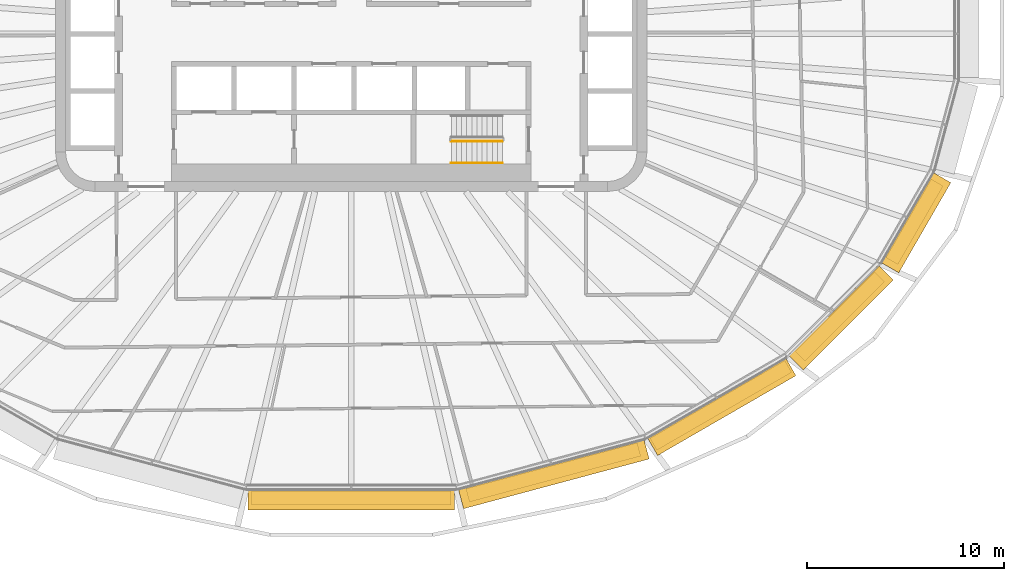
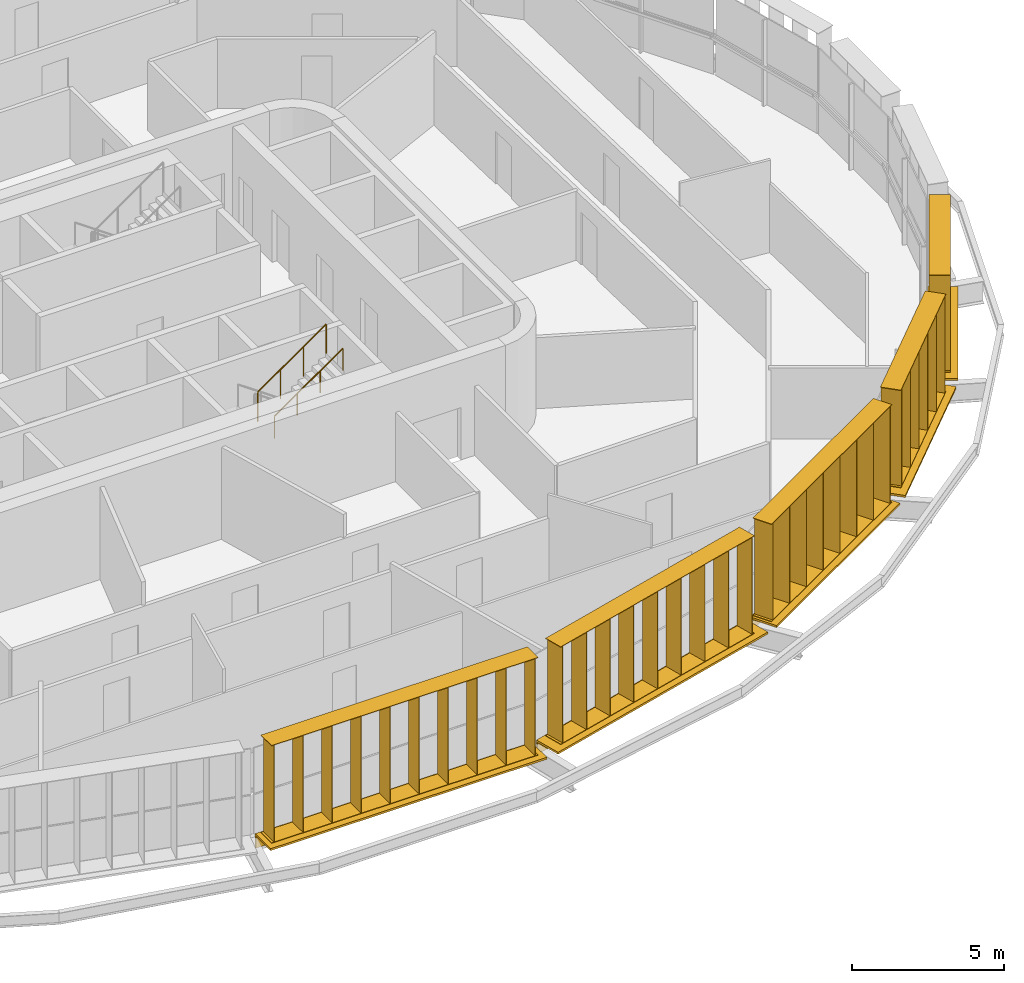
# One storey, part 19 of 22: 10 shading devices, 2 railings.
"""IFC4 building model written with IfcOpenShell, lengths in metres."""

from ifc_helpers import new_model, si_unit, direction, frame, origin, origin_2d, place, context, subcontext, project, spatial, rectangle, circle, extrude, material, type_object, element, save


model = new_model("IFC4")

# Units and contexts
model_context = context("Model", 3, precision=1e-05, world=origin(), true_north=direction((0.0, 1.0)))
body_context = subcontext(model_context, "Body", "Model", "MODEL_VIEW")
ifc_project = project(units=[si_unit("LENGTHUNIT", "METRE"), si_unit("AREAUNIT", "SQUARE_METRE"), si_unit("VOLUMEUNIT", "CUBIC_METRE"), si_unit("PLANEANGLEUNIT", "RADIAN"), si_unit("MASSUNIT", "GRAM", prefix="KILO")], contexts=[model_context])

# Site, building, storey
site_placement = place(None, origin())
site = spatial("IfcSite", under=ifc_project, at=site_placement, CompositionType="ELEMENT")
building_placement = place(site_placement, origin())
building = spatial("IfcBuilding", under=site, at=building_placement, Name="Sahrelin Media Tower", CompositionType="ELEMENT")
storey_placement = place(building_placement, frame((0.0, 0.0, 189.60009765625)))
storey = spatial("IfcBuildingStorey", under=building, at=storey_placement, Name="L40", CompositionType="ELEMENT", Elevation=189.60009765625)

# Shading devices
ifc_material_1 = material(Name="Champagne anodised aluminium 6063-T6", Category="aluminium")
shading_device_type_1 = type_object("IfcShadingDeviceType", Name="Fin cassette", PredefinedType="USERDEFINED", material=ifc_material_1)
placement_1 = place(storey_placement, frame((0.0, -23.12890625, 0.0), z_axis=(0.0, 0.0, 1.0), x_axis=(-1.0, 0.0, 0.0)))
element("IfcShadingDevice", 1, at=placement_1, inside=storey, type_object=shading_device_type_1, Name="L40:FIN:L40-18", ObjectType="FIN", PredefinedType="USERDEFINED", context=body_context, shape_type="SweptSolid", body=[
    extrude(rectangle(XDim=10.10009765625, YDim=0.699951171875, at=origin_2d()), frame((0.0, 0.419921875, 0.0)), (0.0, 0.0, 1.0), 0.02001953125),
    extrude(rectangle(XDim=10.10009765625, YDim=0.699951171875, at=origin_2d()), frame((0.0, 0.419921875, 3.89990234375)), (0.0, 0.0, 1.0), 0.02001953125),
    extrude(rectangle(XDim=0.02001953125, YDim=0.699951171875, at=origin_2d()), frame((-4.949951171875, 0.419921875, 0.010009765625), z_axis=(0.0, 0.0, 1.0), x_axis=(1.0, 0.0, 0.0)), (0.0, 0.0, 1.0), 3.89990234375),
    extrude(rectangle(XDim=0.02001953125, YDim=0.699951171875, at=origin_2d()), frame((-3.85009765625, 0.419921875, 0.010009765625), z_axis=(0.0, 0.0, 1.0), x_axis=(1.0, 0.0, 0.0)), (0.0, 0.0, 1.0), 3.89990234375),
    extrude(rectangle(XDim=0.02001953125, YDim=0.699951171875, at=origin_2d()), frame((-2.75, 0.419921875, 0.010009765625), z_axis=(0.0, 0.0, 1.0), x_axis=(1.0, 0.0, 0.0)), (0.0, 0.0, 1.0), 3.89990234375),
    extrude(rectangle(XDim=0.02001953125, YDim=0.699951171875, at=origin_2d()), frame((-1.64990234375, 0.419921875, 0.010009765625), z_axis=(0.0, 0.0, 1.0), x_axis=(1.0, 0.0, 0.0)), (0.0, 0.0, 1.0), 3.89990234375),
    extrude(rectangle(XDim=0.02001953125, YDim=0.699951171875, at=origin_2d()), frame((-0.550048828125, 0.419921875, 0.010009765625), z_axis=(0.0, 0.0, 1.0), x_axis=(1.0, 0.0, 0.0)), (0.0, 0.0, 1.0), 3.89990234375),
    extrude(rectangle(XDim=0.02001953125, YDim=0.699951171875, at=origin_2d()), frame((0.550048828125, 0.419921875, 0.010009765625), z_axis=(0.0, 0.0, 1.0), x_axis=(1.0, 0.0, 0.0)), (0.0, 0.0, 1.0), 3.89990234375),
    extrude(rectangle(XDim=0.02001953125, YDim=0.699951171875, at=origin_2d()), frame((1.64990234375, 0.419921875, 0.010009765625), z_axis=(0.0, 0.0, 1.0), x_axis=(1.0, 0.0, 0.0)), (0.0, 0.0, 1.0), 3.89990234375),
    extrude(rectangle(XDim=0.02001953125, YDim=0.699951171875, at=origin_2d()), frame((2.75, 0.419921875, 0.010009765625), z_axis=(0.0, 0.0, 1.0), x_axis=(1.0, 0.0, 0.0)), (0.0, 0.0, 1.0), 3.89990234375),
    extrude(rectangle(XDim=0.02001953125, YDim=0.699951171875, at=origin_2d()), frame((3.85009765625, 0.419921875, 0.010009765625), z_axis=(0.0, 0.0, 1.0), x_axis=(1.0, 0.0, 0.0)), (0.0, 0.0, 1.0), 3.89990234375),
    extrude(rectangle(XDim=0.02001953125, YDim=0.699951171875, at=origin_2d()), frame((4.949951171875, 0.419921875, 0.010009765625), z_axis=(0.0, 0.0, 1.0), x_axis=(1.0, 0.0, 0.0)), (0.0, 0.0, 1.0), 3.89990234375),
])
placement_2 = place(storey_placement, frame((10.143310546875, -21.841796875, 0.0), z_axis=(0.0, 0.0, 1.0), x_axis=(-0.965928857556, -0.258807731996, 0.0)))
element("IfcShadingDevice", 2, at=placement_2, inside=storey, type_object=shading_device_type_1, Name="L40:FIN:L40-19", ObjectType="FIN", PredefinedType="USERDEFINED", context=body_context, shape_type="SweptSolid", body=[
    extrude(rectangle(XDim=9.0, YDim=0.699951171875, at=origin_2d()), frame((0.0, 0.419921875, 0.0)), (0.0, 0.0, 1.0), 0.02001953125),
    extrude(rectangle(XDim=9.0, YDim=0.699951171875, at=origin_2d()), frame((0.0, 0.419921875, 3.89990234375)), (0.0, 0.0, 1.0), 0.02001953125),
    extrude(rectangle(XDim=0.02001953125, YDim=0.699951171875, at=origin_2d()), frame((-4.39990234375, 0.419921875, 0.010009765625), z_axis=(0.0, 0.0, 1.0), x_axis=(1.0, 0.0, 0.0)), (0.0, 0.0, 1.0), 3.89990234375),
    extrude(rectangle(XDim=0.02001953125, YDim=0.699951171875, at=origin_2d()), frame((-3.300048828125, 0.419921875, 0.010009765625), z_axis=(0.0, 0.0, 1.0), x_axis=(1.0, 0.0, 0.0)), (0.0, 0.0, 1.0), 3.89990234375),
    extrude(rectangle(XDim=0.02001953125, YDim=0.699951171875, at=origin_2d()), frame((-2.199951171875, 0.419921875, 0.010009765625), z_axis=(0.0, 0.0, 1.0), x_axis=(1.0, 0.0, 0.0)), (0.0, 0.0, 1.0), 3.89990234375),
    extrude(rectangle(XDim=0.02001953125, YDim=0.699951171875, at=origin_2d()), frame((-1.10009765625, 0.419921875, 0.010009765625), z_axis=(0.0, 0.0, 1.0), x_axis=(1.0, 0.0, 0.0)), (0.0, 0.0, 1.0), 3.89990234375),
    extrude(rectangle(XDim=0.02001953125, YDim=0.699951171875, at=origin_2d()), frame((0.0, 0.419921875, 0.010009765625), z_axis=(0.0, 0.0, 1.0), x_axis=(1.0, 0.0, 0.0)), (0.0, 0.0, 1.0), 3.89990234375),
    extrude(rectangle(XDim=0.02001953125, YDim=0.699951171875, at=origin_2d()), frame((1.10009765625, 0.419921875, 0.010009765625), z_axis=(0.0, 0.0, 1.0), x_axis=(1.0, 0.0, 0.0)), (0.0, 0.0, 1.0), 3.89990234375),
    extrude(rectangle(XDim=0.02001953125, YDim=0.699951171875, at=origin_2d()), frame((2.199951171875, 0.419921875, 0.010009765625), z_axis=(0.0, 0.0, 1.0), x_axis=(1.0, 0.0, 0.0)), (0.0, 0.0, 1.0), 3.89990234375),
    extrude(rectangle(XDim=0.02001953125, YDim=0.699951171875, at=origin_2d()), frame((3.300048828125, 0.419921875, 0.010009765625), z_axis=(0.0, 0.0, 1.0), x_axis=(1.0, 0.0, 0.0)), (0.0, 0.0, 1.0), 3.89990234375),
    extrude(rectangle(XDim=0.02001953125, YDim=0.699951171875, at=origin_2d()), frame((4.39990234375, 0.419921875, 0.010009765625), z_axis=(0.0, 0.0, 1.0), x_axis=(1.0, 0.0, 0.0)), (0.0, 0.0, 1.0), 3.89990234375),
])
placement_3 = place(storey_placement, frame((18.54052734375, -18.47998046875, 0.0), z_axis=(0.0, 0.0, 1.0), x_axis=(-0.866019052629, -0.500011000363, 0.0)))
element("IfcShadingDevice", 3, at=placement_3, inside=storey, type_object=shading_device_type_1, Name="L40:FIN:L40-20", ObjectType="FIN", PredefinedType="USERDEFINED", context=body_context, shape_type="SweptSolid", body=[
    extrude(rectangle(XDim=7.89990234375, YDim=0.699951171875, at=origin_2d()), frame((0.0, 0.419921875, 0.0)), (0.0, 0.0, 1.0), 0.02001953125),
    extrude(rectangle(XDim=7.89990234375, YDim=0.699951171875, at=origin_2d()), frame((0.0, 0.419921875, 3.89990234375)), (0.0, 0.0, 1.0), 0.02001953125),
    extrude(rectangle(XDim=0.02001953125, YDim=0.699951171875, at=origin_2d()), frame((-3.85009765625, 0.419921875, 0.010009765625), z_axis=(0.0, 0.0, 1.0), x_axis=(1.0, 0.0, 0.0)), (0.0, 0.0, 1.0), 3.89990234375),
    extrude(rectangle(XDim=0.02001953125, YDim=0.699951171875, at=origin_2d()), frame((-2.75, 0.419921875, 0.010009765625), z_axis=(0.0, 0.0, 1.0), x_axis=(1.0, 0.0, 0.0)), (0.0, 0.0, 1.0), 3.89990234375),
    extrude(rectangle(XDim=0.02001953125, YDim=0.699951171875, at=origin_2d()), frame((-1.64990234375, 0.419921875, 0.010009765625), z_axis=(0.0, 0.0, 1.0), x_axis=(1.0, 0.0, 0.0)), (0.0, 0.0, 1.0), 3.89990234375),
    extrude(rectangle(XDim=0.02001953125, YDim=0.699951171875, at=origin_2d()), frame((-0.550048828125, 0.419921875, 0.010009765625), z_axis=(0.0, 0.0, 1.0), x_axis=(1.0, 0.0, 0.0)), (0.0, 0.0, 1.0), 3.89990234375),
    extrude(rectangle(XDim=0.02001953125, YDim=0.699951171875, at=origin_2d()), frame((0.550048828125, 0.419921875, 0.010009765625), z_axis=(0.0, 0.0, 1.0), x_axis=(1.0, 0.0, 0.0)), (0.0, 0.0, 1.0), 3.89990234375),
    extrude(rectangle(XDim=0.02001953125, YDim=0.699951171875, at=origin_2d()), frame((1.64990234375, 0.419921875, 0.010009765625), z_axis=(0.0, 0.0, 1.0), x_axis=(1.0, 0.0, 0.0)), (0.0, 0.0, 1.0), 3.89990234375),
    extrude(rectangle(XDim=0.02001953125, YDim=0.699951171875, at=origin_2d()), frame((2.75, 0.419921875, 0.010009765625), z_axis=(0.0, 0.0, 1.0), x_axis=(1.0, 0.0, 0.0)), (0.0, 0.0, 1.0), 3.89990234375),
    extrude(rectangle(XDim=0.02001953125, YDim=0.699951171875, at=origin_2d()), frame((3.85009765625, 0.419921875, 0.010009765625), z_axis=(0.0, 0.0, 1.0), x_axis=(1.0, 0.0, 0.0)), (0.0, 0.0, 1.0), 3.89990234375),
])
placement_4 = place(storey_placement, frame((24.48779296875, -14.05126953125, 0.0), z_axis=(0.0, 0.0, 1.0), x_axis=(-0.707106781187, -0.707106781187, 0.0)))
element("IfcShadingDevice", 4, at=placement_4, inside=storey, type_object=shading_device_type_1, Name="L40:FIN:L40-21", ObjectType="FIN", PredefinedType="USERDEFINED", context=body_context, shape_type="SweptSolid", body=[
    extrude(rectangle(XDim=5.699951171875, YDim=0.699951171875, at=origin_2d()), frame((0.0, 0.419921875, 0.0)), (0.0, 0.0, 1.0), 0.02001953125),
    extrude(rectangle(XDim=5.699951171875, YDim=0.699951171875, at=origin_2d()), frame((0.0, 0.419921875, 3.89990234375)), (0.0, 0.0, 1.0), 0.02001953125),
    extrude(rectangle(XDim=0.02001953125, YDim=0.699951171875, at=origin_2d()), frame((-2.75, 0.419921875, 0.010009765625), z_axis=(0.0, 0.0, 1.0), x_axis=(1.0, 0.0, 0.0)), (0.0, 0.0, 1.0), 3.89990234375),
    extrude(rectangle(XDim=0.02001953125, YDim=0.699951171875, at=origin_2d()), frame((-1.64990234375, 0.419921875, 0.010009765625), z_axis=(0.0, 0.0, 1.0), x_axis=(1.0, 0.0, 0.0)), (0.0, 0.0, 1.0), 3.89990234375),
    extrude(rectangle(XDim=0.02001953125, YDim=0.699951171875, at=origin_2d()), frame((-0.550048828125, 0.419921875, 0.010009765625), z_axis=(0.0, 0.0, 1.0), x_axis=(1.0, 0.0, 0.0)), (0.0, 0.0, 1.0), 3.89990234375),
    extrude(rectangle(XDim=0.02001953125, YDim=0.699951171875, at=origin_2d()), frame((0.550048828125, 0.419921875, 0.010009765625), z_axis=(0.0, 0.0, 1.0), x_axis=(1.0, 0.0, 0.0)), (0.0, 0.0, 1.0), 3.89990234375),
    extrude(rectangle(XDim=0.02001953125, YDim=0.699951171875, at=origin_2d()), frame((1.64990234375, 0.419921875, 0.010009765625), z_axis=(0.0, 0.0, 1.0), x_axis=(1.0, 0.0, 0.0)), (0.0, 0.0, 1.0), 3.89990234375),
    extrude(rectangle(XDim=0.02001953125, YDim=0.699951171875, at=origin_2d()), frame((2.75, 0.419921875, 0.010009765625), z_axis=(0.0, 0.0, 1.0), x_axis=(1.0, 0.0, 0.0)), (0.0, 0.0, 1.0), 3.89990234375),
])
placement_5 = place(storey_placement, frame((28.21142578125, -9.324951171875, 0.0), z_axis=(0.0, 0.0, 1.0), x_axis=(-0.500011000363, -0.866019052629, 0.0)))
element("IfcShadingDevice", 5, at=placement_5, inside=storey, type_object=shading_device_type_1, Name="L40:FIN:L40-22", ObjectType="FIN", PredefinedType="USERDEFINED", context=body_context, shape_type="SweptSolid", body=[
    extrude(rectangle(XDim=4.60009765625, YDim=0.699951171875, at=origin_2d()), frame((0.0, 0.419921875, 0.0)), (0.0, 0.0, 1.0), 0.02001953125),
    extrude(rectangle(XDim=4.60009765625, YDim=0.699951171875, at=origin_2d()), frame((0.0, 0.419921875, 3.89990234375)), (0.0, 0.0, 1.0), 0.02001953125),
    extrude(rectangle(XDim=0.02001953125, YDim=0.699951171875, at=origin_2d()), frame((-2.199951171875, 0.419921875, 0.010009765625), z_axis=(0.0, 0.0, 1.0), x_axis=(1.0, 0.0, 0.0)), (0.0, 0.0, 1.0), 3.89990234375),
    extrude(rectangle(XDim=0.02001953125, YDim=0.699951171875, at=origin_2d()), frame((-1.10009765625, 0.419921875, 0.010009765625), z_axis=(0.0, 0.0, 1.0), x_axis=(1.0, 0.0, 0.0)), (0.0, 0.0, 1.0), 3.89990234375),
    extrude(rectangle(XDim=0.02001953125, YDim=0.699951171875, at=origin_2d()), frame((0.0, 0.419921875, 0.010009765625), z_axis=(0.0, 0.0, 1.0), x_axis=(1.0, 0.0, 0.0)), (0.0, 0.0, 1.0), 3.89990234375),
    extrude(rectangle(XDim=0.02001953125, YDim=0.699951171875, at=origin_2d()), frame((1.10009765625, 0.419921875, 0.010009765625), z_axis=(0.0, 0.0, 1.0), x_axis=(1.0, 0.0, 0.0)), (0.0, 0.0, 1.0), 3.89990234375),
    extrude(rectangle(XDim=0.02001953125, YDim=0.699951171875, at=origin_2d()), frame((2.199951171875, 0.419921875, 0.010009765625), z_axis=(0.0, 0.0, 1.0), x_axis=(1.0, 0.0, 0.0)), (0.0, 0.0, 1.0), 3.89990234375),
])

# Railings
ifc_material_2 = material(Name="Steel S355", Category="steel")
railing_type_1 = type_object("IfcRailingType", Name="Stair guard 1200", PredefinedType="GUARDRAIL", material=ifc_material_2)
railing_1_placement = place(storey_placement, frame((5.074951171875, -5.449951171875, 2.181640625)))
element("IfcRailing", 6, at=railing_1_placement, inside=storey, type_object=railing_type_1, Name="L40 ST2 stair guard 3", PredefinedType="GUARDRAIL", context=body_context, shape_type="SweptSolid", body=[
    extrude(circle(Radius=0.02392578125, at=origin_2d()), frame((0.0, 0.0, 1.17578125), z_axis=(0.819484887739, 0.0, 0.573100792852), x_axis=(0.0, 1.0, 0.0)), (0.0, 0.0, 1.0), 3.1728515625),
    extrude(circle(Radius=0.02099609375, at=origin_2d()), origin(), (0.0, 0.0, 1.0), 1.15185546875),
    extrude(circle(Radius=0.02099609375, at=origin_2d()), frame((0.86669921875, 0.0, 0.606201171875)), (0.0, 0.0, 1.0), 1.15185546875),
    extrude(circle(Radius=0.02099609375, at=origin_2d()), frame((1.7333984375, 0.0, 1.212158203125)), (0.0, 0.0, 1.0), 1.15185546875),
    extrude(circle(Radius=0.02099609375, at=origin_2d()), frame((2.60009765625, 0.0, 1.818359375)), (0.0, 0.0, 1.0), 1.15185546875),
])
railing_type_2 = type_object("IfcRailingType", Name="Stair handrail 900", PredefinedType="HANDRAIL", material=ifc_material_2)
railing_2_placement = place(storey_placement, frame((5.074951171875, -6.550048828125, 2.181640625)))
element("IfcRailing", 7, at=railing_2_placement, inside=storey, type_object=railing_type_2, Name="L40 ST2 stair handrail 2", PredefinedType="HANDRAIL", context=body_context, shape_type="SweptSolid", body=[
    extrude(circle(Radius=0.02392578125, at=origin_2d()), frame((0.0, 0.0, 0.8759765625), z_axis=(0.819484887739, 0.0, 0.573100792852), x_axis=(0.0, 1.0, 0.0)), (0.0, 0.0, 1.0), 3.1728515625),
    extrude(circle(Radius=0.02099609375, at=origin_2d()), origin(), (0.0, 0.0, 1.0), 0.851806640625),
    extrude(circle(Radius=0.02099609375, at=origin_2d()), frame((0.86669921875, 0.0, 0.606201171875)), (0.0, 0.0, 1.0), 0.851806640625),
    extrude(circle(Radius=0.02099609375, at=origin_2d()), frame((1.7333984375, 0.0, 1.212158203125)), (0.0, 0.0, 1.0), 0.851806640625),
    extrude(circle(Radius=0.02099609375, at=origin_2d()), frame((2.60009765625, 0.0, 1.818359375)), (0.0, 0.0, 1.0), 0.851806640625),
])

# Shading devices
shading_device_type_2 = type_object("IfcShadingDeviceType", Name="Sunshade band", PredefinedType="USERDEFINED", material=ifc_material_1)
element("IfcShadingDevice", 8, at=placement_1, inside=storey, type_object=shading_device_type_2, Name="L40:SUN:L40-18", ObjectType="SUNSHADE", PredefinedType="USERDEFINED", context=body_context, shape_type="SweptSolid", body=[
    extrude(rectangle(XDim=10.479248046875, YDim=0.050048828125, at=origin_2d()), frame((0.0, 0.044921875, -0.55126953125)), (0.0, 0.0, 1.0), 0.471435546875),
    extrude(rectangle(XDim=10.479248046875, YDim=1.0, at=origin_2d()), frame((0.0, 0.52001953125, -0.080078125)), (0.0, 0.0, 1.0), 0.080078125),
    extrude(rectangle(XDim=0.10009765625, YDim=0.074951171875, at=origin_2d()), frame((-5.1396484375, -0.017578125, -0.47021484375)), (0.0, 0.0, 1.0), 0.300048828125),
    extrude(rectangle(XDim=0.10009765625, YDim=0.074951171875, at=origin_2d()), frame((-3.426513671875, -0.017578125, -0.47021484375)), (0.0, 0.0, 1.0), 0.300048828125),
    extrude(rectangle(XDim=0.10009765625, YDim=0.074951171875, at=origin_2d()), frame((-1.713134765625, -0.017578125, -0.47021484375)), (0.0, 0.0, 1.0), 0.300048828125),
    extrude(rectangle(XDim=0.10009765625, YDim=0.074951171875, at=origin_2d()), frame((0.0, -0.017578125, -0.47021484375)), (0.0, 0.0, 1.0), 0.300048828125),
    extrude(rectangle(XDim=0.10009765625, YDim=0.074951171875, at=origin_2d()), frame((1.713134765625, -0.017578125, -0.47021484375)), (0.0, 0.0, 1.0), 0.300048828125),
    extrude(rectangle(XDim=0.10009765625, YDim=0.074951171875, at=origin_2d()), frame((3.426513671875, -0.017578125, -0.47021484375)), (0.0, 0.0, 1.0), 0.300048828125),
    extrude(rectangle(XDim=0.10009765625, YDim=0.074951171875, at=origin_2d()), frame((5.1396484375, -0.017578125, -0.47021484375)), (0.0, 0.0, 1.0), 0.300048828125),
])
element("IfcShadingDevice", 9, at=placement_2, inside=storey, type_object=shading_device_type_2, Name="L40:SUN:L40-19", ObjectType="SUNSHADE", PredefinedType="USERDEFINED", context=body_context, shape_type="SweptSolid", body=[
    extrude(rectangle(XDim=9.74609375, YDim=0.050048828125, at=origin_2d()), frame((0.0, 0.044921875, -0.55126953125)), (0.0, 0.0, 1.0), 0.471435546875),
    extrude(rectangle(XDim=9.74609375, YDim=1.0, at=origin_2d()), frame((0.0, 0.52001953125, -0.080078125)), (0.0, 0.0, 1.0), 0.080078125),
    extrude(rectangle(XDim=0.10009765625, YDim=0.074951171875, at=origin_2d()), frame((-4.773193359375, -0.017578125, -0.47021484375)), (0.0, 0.0, 1.0), 0.300048828125),
    extrude(rectangle(XDim=0.10009765625, YDim=0.074951171875, at=origin_2d()), frame((-2.864013671875, -0.017578125, -0.47021484375)), (0.0, 0.0, 1.0), 0.300048828125),
    extrude(rectangle(XDim=0.10009765625, YDim=0.074951171875, at=origin_2d()), frame((-0.95458984375, -0.017578125, -0.47021484375)), (0.0, 0.0, 1.0), 0.300048828125),
    extrude(rectangle(XDim=0.10009765625, YDim=0.074951171875, at=origin_2d()), frame((0.95458984375, -0.017578125, -0.47021484375)), (0.0, 0.0, 1.0), 0.300048828125),
    extrude(rectangle(XDim=0.10009765625, YDim=0.074951171875, at=origin_2d()), frame((2.864013671875, -0.017578125, -0.47021484375)), (0.0, 0.0, 1.0), 0.300048828125),
    extrude(rectangle(XDim=0.10009765625, YDim=0.074951171875, at=origin_2d()), frame((4.773193359375, -0.017578125, -0.47021484375)), (0.0, 0.0, 1.0), 0.300048828125),
])
element("IfcShadingDevice", 10, at=placement_3, inside=storey, type_object=shading_device_type_2, Name="L40:SUN:L40-20", ObjectType="SUNSHADE", PredefinedType="USERDEFINED", context=body_context, shape_type="SweptSolid", body=[
    extrude(rectangle(XDim=8.09912109375, YDim=0.050048828125, at=origin_2d()), frame((0.0, 0.044921875, -0.55126953125)), (0.0, 0.0, 1.0), 0.471435546875),
    extrude(rectangle(XDim=8.09912109375, YDim=1.0, at=origin_2d()), frame((0.0, 0.52001953125, -0.080078125)), (0.0, 0.0, 1.0), 0.080078125),
    extrude(rectangle(XDim=0.10009765625, YDim=0.074951171875, at=origin_2d()), frame((-3.949462890625, -0.017578125, -0.47021484375)), (0.0, 0.0, 1.0), 0.300048828125),
    extrude(rectangle(XDim=0.10009765625, YDim=0.074951171875, at=origin_2d()), frame((-2.36962890625, -0.017578125, -0.47021484375)), (0.0, 0.0, 1.0), 0.300048828125),
    extrude(rectangle(XDim=0.10009765625, YDim=0.074951171875, at=origin_2d()), frame((-0.789794921875, -0.017578125, -0.47021484375)), (0.0, 0.0, 1.0), 0.300048828125),
    extrude(rectangle(XDim=0.10009765625, YDim=0.074951171875, at=origin_2d()), frame((0.789794921875, -0.017578125, -0.47021484375)), (0.0, 0.0, 1.0), 0.300048828125),
    extrude(rectangle(XDim=0.10009765625, YDim=0.074951171875, at=origin_2d()), frame((2.36962890625, -0.017578125, -0.47021484375)), (0.0, 0.0, 1.0), 0.300048828125),
    extrude(rectangle(XDim=0.10009765625, YDim=0.074951171875, at=origin_2d()), frame((3.949462890625, -0.017578125, -0.47021484375)), (0.0, 0.0, 1.0), 0.300048828125),
])
element("IfcShadingDevice", 11, at=placement_4, inside=storey, type_object=shading_device_type_2, Name="L40:SUN:L40-21", ObjectType="SUNSHADE", PredefinedType="USERDEFINED", context=body_context, shape_type="SweptSolid", body=[
    extrude(rectangle(XDim=6.45751953125, YDim=0.050048828125, at=origin_2d()), frame((0.0, 0.044921875, -0.55126953125)), (0.0, 0.0, 1.0), 0.471435546875),
    extrude(rectangle(XDim=6.45751953125, YDim=1.0, at=origin_2d()), frame((0.0, 0.52001953125, -0.080078125)), (0.0, 0.0, 1.0), 0.080078125),
    extrude(rectangle(XDim=0.10009765625, YDim=0.074951171875, at=origin_2d()), frame((-3.12890625, -0.017578125, -0.47021484375)), (0.0, 0.0, 1.0), 0.300048828125),
    extrude(rectangle(XDim=0.10009765625, YDim=0.074951171875, at=origin_2d()), frame((-1.564453125, -0.017578125, -0.47021484375)), (0.0, 0.0, 1.0), 0.300048828125),
    extrude(rectangle(XDim=0.10009765625, YDim=0.074951171875, at=origin_2d()), frame((0.0, -0.017578125, -0.47021484375)), (0.0, 0.0, 1.0), 0.300048828125),
    extrude(rectangle(XDim=0.10009765625, YDim=0.074951171875, at=origin_2d()), frame((1.564453125, -0.017578125, -0.47021484375)), (0.0, 0.0, 1.0), 0.300048828125),
    extrude(rectangle(XDim=0.10009765625, YDim=0.074951171875, at=origin_2d()), frame((3.12890625, -0.017578125, -0.47021484375)), (0.0, 0.0, 1.0), 0.300048828125),
])
element("IfcShadingDevice", 12, at=placement_5, inside=storey, type_object=shading_device_type_2, Name="L40:SUN:L40-22", ObjectType="SUNSHADE", PredefinedType="USERDEFINED", context=body_context, shape_type="SweptSolid", body=[
    extrude(rectangle(XDim=5.279052734375, YDim=0.050048828125, at=origin_2d()), frame((0.0, 0.044921875, -0.55126953125)), (0.0, 0.0, 1.0), 0.471435546875),
    extrude(rectangle(XDim=5.279052734375, YDim=1.0, at=origin_2d()), frame((0.0, 0.52001953125, -0.080078125)), (0.0, 0.0, 1.0), 0.080078125),
    extrude(rectangle(XDim=0.10009765625, YDim=0.074951171875, at=origin_2d()), frame((-2.53955078125, -0.017578125, -0.47021484375)), (0.0, 0.0, 1.0), 0.300048828125),
    extrude(rectangle(XDim=0.10009765625, YDim=0.074951171875, at=origin_2d()), frame((-0.846435546875, -0.017578125, -0.47021484375)), (0.0, 0.0, 1.0), 0.300048828125),
    extrude(rectangle(XDim=0.10009765625, YDim=0.074951171875, at=origin_2d()), frame((0.846435546875, -0.017578125, -0.47021484375)), (0.0, 0.0, 1.0), 0.300048828125),
    extrude(rectangle(XDim=0.10009765625, YDim=0.074951171875, at=origin_2d()), frame((2.53955078125, -0.017578125, -0.47021484375)), (0.0, 0.0, 1.0), 0.300048828125),
])

save(model, "model.ifc")
